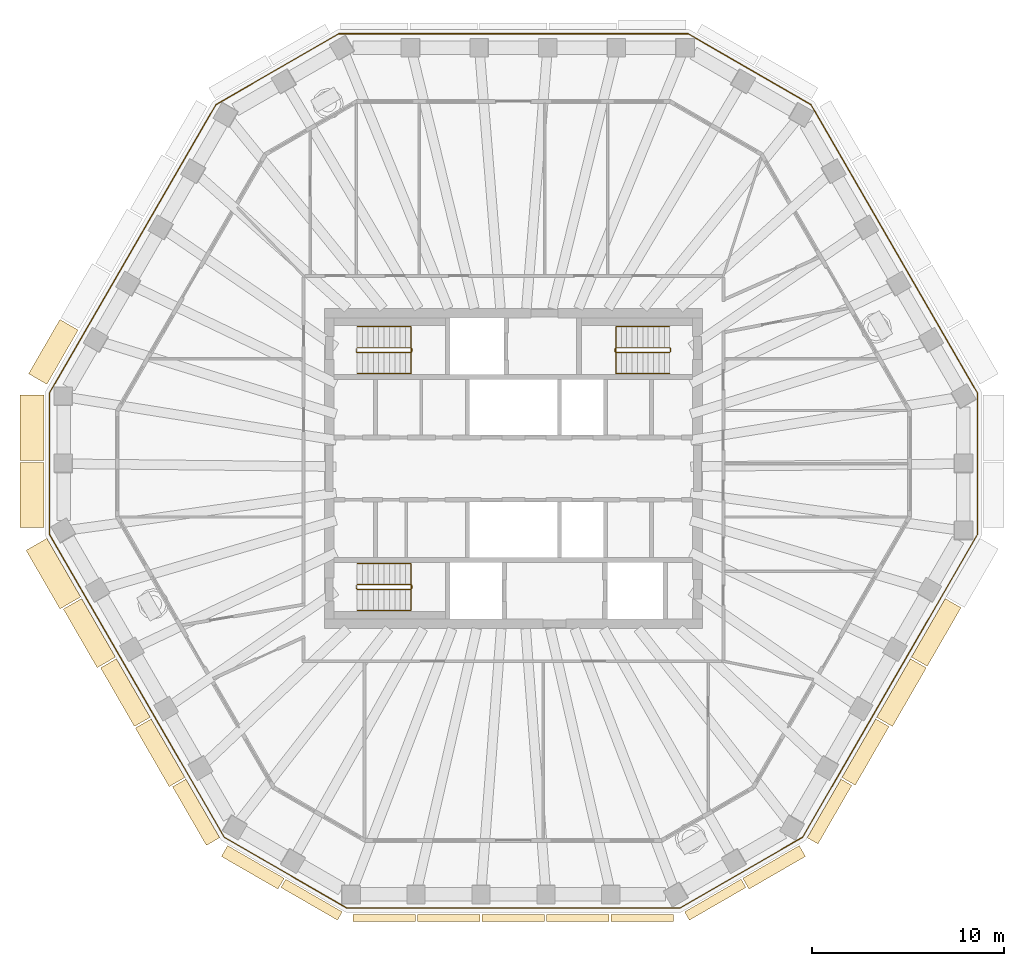
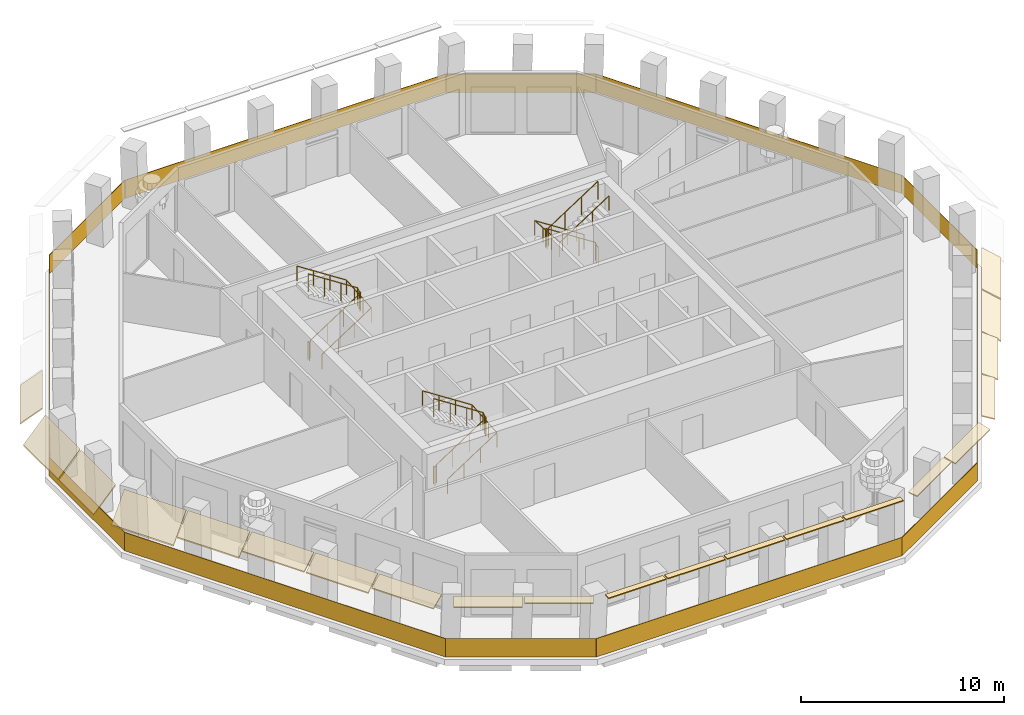
# One storey, part 9 of 12: 21 coverings, 7 railings.
"""IFC4 building model written with IfcOpenShell, lengths in metres."""

from ifc_helpers import new_model, si_unit, direction, frame, origin, origin_2d, place, context, subcontext, project, spatial, polyline, rectangle, circle, outline, extrude, material, layer, layer_set, type_object, element, save


model = new_model("IFC4")

# Units and contexts
model_context = context("Model", 3, precision=1e-05, world=origin(), true_north=direction((0.0, 1.0)))
body_context = subcontext(model_context, "Body", "Model", "MODEL_VIEW")
ifc_project = project(units=[si_unit("LENGTHUNIT", "METRE"), si_unit("AREAUNIT", "SQUARE_METRE"), si_unit("VOLUMEUNIT", "CUBIC_METRE"), si_unit("PLANEANGLEUNIT", "RADIAN"), si_unit("MASSUNIT", "GRAM", prefix="KILO")], contexts=[model_context])

# Site, building, storey
site_placement = place(None, origin())
site = spatial("IfcSite", under=ifc_project, at=site_placement, CompositionType="ELEMENT")
building_placement = place(site_placement, origin())
building = spatial("IfcBuilding", under=site, at=building_placement, Name="Frailejon Research Tower", CompositionType="ELEMENT")
storey_placement = place(building_placement, frame((0.0, 0.0, 271.0)))
storey = spatial("IfcBuildingStorey", under=building, at=storey_placement, Name="L59", CompositionType="ELEMENT", Elevation=271.0)

# Coverings
ifc_material_1 = material(Name="Precast concrete C50/60", Category="concrete")
ifc_layer_1 = layer(ifc_material_1, 0.06005859375)
ifc_layer_set_1 = layer_set([ifc_layer_1], Name="Brim blade depth 1100")
covering_type_1 = type_object("IfcCoveringType", Name="Brim blade depth 1100", PredefinedType="CLADDING", material=ifc_layer_set_1)
covering_1_placement = place(storey_placement, frame((-24.339111328125, 4.3974609375, 3.85009765625), z_axis=(0.499981450159, 0.866036113275, 0.0), x_axis=(-0.866036113275, 0.499981450159, 0.0)))
element("IfcCovering", 1, at=covering_1_placement, inside=storey, type_object=covering_type_1, Name="Brim blade L59", PredefinedType="CLADDING", context=body_context, shape_type="SweptSolid", body=[
    extrude(outline(polyline([(0.0, -0.078369140625), (1.10009765625, -1.001220703125), (1.10009765625, -0.923095703125), (0.0, 0.0), (0.0, -0.078369140625)])), origin(), (0.0, 0.0, 1.0), 3.264404296875),
])
covering_2_placement = place(storey_placement, frame((-20.763427734375, -9.836669921875, 3.85009765625), z_axis=(-0.499992226776, 0.866029891611, 0.0), x_axis=(-0.866029891611, -0.499992226776, 0.0)))
element("IfcCovering", 2, at=covering_2_placement, inside=storey, type_object=covering_type_1, Name="Brim blade L59", PredefinedType="CLADDING", context=body_context, shape_type="SweptSolid", body=[
    extrude(outline(polyline([(0.0, -0.078369140625), (1.10009765625, -1.001220703125), (1.10009765625, -0.923095703125), (0.0, 0.0), (0.0, -0.078369140625)])), origin(), (0.0, 0.0, 1.0), 3.52587890625),
])
ifc_material_2 = material(Name="Precast concrete C50/60", Category="concrete")
ifc_layer_2 = layer(ifc_material_2, 0.06005859375)
ifc_layer_set_2 = layer_set([ifc_layer_2], Name="Brim blade depth 1250")
covering_type_2 = type_object("IfcCoveringType", Name="Brim blade depth 1250", PredefinedType="CLADDING", material=ifc_layer_set_2)
covering_3_placement = place(storey_placement, frame((-24.491455078125, 0.427001953125, 3.85009765625), z_axis=(0.0, 1.0, 0.0), x_axis=(-1.0, 0.0, 0.0)))
element("IfcCovering", 3, at=covering_3_placement, inside=storey, type_object=covering_type_2, Name="Brim blade L59", PredefinedType="CLADDING", context=body_context, shape_type="SweptSolid", body=[
    extrude(outline(polyline([(0.0, -0.0888671875), (1.25, -1.452880859375), (1.25, -1.364013671875), (0.0, 0.0), (0.0, -0.0888671875)])), origin(), (0.0, 0.0, 1.0), 3.402099609375),
])
covering_4_placement = place(storey_placement, frame((-24.491455078125, -3.07470703125, 3.85009765625), z_axis=(0.0, 1.0, 0.0), x_axis=(-1.0, 0.0, 0.0)))
element("IfcCovering", 4, at=covering_4_placement, inside=storey, type_object=covering_type_2, Name="Brim blade L59", PredefinedType="CLADDING", context=body_context, shape_type="SweptSolid", body=[
    extrude(outline(polyline([(0.0, -0.0888671875), (1.25, -1.452880859375), (1.25, -1.364013671875), (0.0, 0.0), (0.0, -0.0888671875)])), origin(), (0.0, 0.0, 1.0), 3.40185546875),
])
covering_5_placement = place(storey_placement, frame((-22.576416015625, -6.696533203125, 3.85009765625), z_axis=(-0.499992226776, 0.866029891611, 0.0), x_axis=(-0.866029891611, -0.499992226776, 0.0)))
element("IfcCovering", 5, at=covering_5_placement, inside=storey, type_object=covering_type_2, Name="Brim blade L59", PredefinedType="CLADDING", context=body_context, shape_type="SweptSolid", body=[
    extrude(outline(polyline([(0.0, -0.0888671875), (1.25, -1.452880859375), (1.25, -1.364013671875), (0.0, 0.0), (0.0, -0.0888671875)])), origin(), (0.0, 0.0, 1.0), 3.52587890625),
])
ifc_material_3 = material(Name="Precast concrete C50/60", Category="concrete")
ifc_layer_3 = layer(ifc_material_3, 0.06005859375)
ifc_layer_set_3 = layer_set([ifc_layer_3], Name="Brim blade depth 350")
covering_type_3 = type_object("IfcCoveringType", Name="Brim blade depth 350", PredefinedType="CLADDING", material=ifc_layer_set_3)
covering_6_placement = place(storey_placement, frame((-5.0966796875, -23.277099609375, 3.85009765625), z_axis=(-1.0, 0.0, 0.0), x_axis=(0.0, -1.0, 0.0)))
element("IfcCovering", 6, at=covering_6_placement, inside=storey, type_object=covering_type_3, Name="Brim blade L59", PredefinedType="CLADDING", context=body_context, shape_type="SweptSolid", body=[
    extrude(outline(polyline([(0.0, -0.06005859375), (0.35009765625, -0.06005859375), (0.35009765625, 0.0), (0.0, 0.0), (0.0, -0.06005859375)])), origin(), (0.0, 0.0, 1.0), 3.2646484375),
])
covering_7_placement = place(storey_placement, frame((-1.732421875, -23.277099609375, 3.85009765625), z_axis=(-1.0, 0.0, 0.0), x_axis=(0.0, -1.0, 0.0)))
element("IfcCovering", 7, at=covering_7_placement, inside=storey, type_object=covering_type_3, Name="Brim blade L59", PredefinedType="CLADDING", context=body_context, shape_type="SweptSolid", body=[
    extrude(outline(polyline([(0.0, -0.06005859375), (0.35009765625, -0.06005859375), (0.35009765625, 0.0), (0.0, 0.0), (0.0, -0.06005859375)])), origin(), (0.0, 0.0, 1.0), 3.264404296875),
])
covering_8_placement = place(storey_placement, frame((1.63232421875, -23.277099609375, 3.85009765625), z_axis=(-1.0, 0.0, 0.0), x_axis=(0.0, -1.0, 0.0)))
element("IfcCovering", 8, at=covering_8_placement, inside=storey, type_object=covering_type_3, Name="Brim blade L59", PredefinedType="CLADDING", context=body_context, shape_type="SweptSolid", body=[
    extrude(outline(polyline([(0.0, -0.06005859375), (0.35009765625, -0.06005859375), (0.35009765625, 0.0), (0.0, 0.0), (0.0, -0.06005859375)])), origin(), (0.0, 0.0, 1.0), 3.2646484375),
])
covering_9_placement = place(storey_placement, frame((4.996826171875, -23.277099609375, 3.85009765625), z_axis=(-1.0, 0.0, 0.0), x_axis=(0.0, -1.0, 0.0)))
element("IfcCovering", 9, at=covering_9_placement, inside=storey, type_object=covering_type_3, Name="Brim blade L59", PredefinedType="CLADDING", context=body_context, shape_type="SweptSolid", body=[
    extrude(outline(polyline([(0.0, -0.06005859375), (0.35009765625, -0.06005859375), (0.35009765625, 0.0), (0.0, 0.0), (0.0, -0.06005859375)])), origin(), (0.0, 0.0, 1.0), 3.264404296875),
])
covering_10_placement = place(storey_placement, frame((8.361328125, -23.277099609375, 3.85009765625), z_axis=(-1.0, 0.0, 0.0), x_axis=(0.0, -1.0, 0.0)))
element("IfcCovering", 10, at=covering_10_placement, inside=storey, type_object=covering_type_3, Name="Brim blade L59", PredefinedType="CLADDING", context=body_context, shape_type="SweptSolid", body=[
    extrude(outline(polyline([(0.0, -0.06005859375), (0.35009765625, -0.06005859375), (0.35009765625, 0.0), (0.0, 0.0), (0.0, -0.06005859375)])), origin(), (0.0, 0.0, 1.0), 3.2646484375),
])
ifc_material_4 = material(Name="Precast concrete C50/60", Category="concrete")
ifc_layer_4 = layer(ifc_material_4, 0.06005859375)
ifc_layer_set_4 = layer_set([ifc_layer_4], Name="Brim blade depth 500")
covering_type_4 = type_object("IfcCoveringType", Name="Brim blade depth 500", PredefinedType="CLADDING", material=ifc_layer_set_4)
for number, where, z_axis, x_axis, name in (
    (11, (-8.9296875, -23.124755859375, 3.85009765625), (-0.866023907216, 0.500002592124, 0.0), (-0.500002592124, -0.866023907216, 0.0), "Brim blade L59"),
    (12, (11.8759765625, -21.423828125, 3.85009765625), (-0.866023907216, -0.500002592124, 0.0), (0.500002592124, -0.866023907216, 0.0), "Brim blade L59"),
):
    element("IfcCovering", number, at=place(storey_placement, frame(where, z_axis=z_axis, x_axis=x_axis)), inside=storey, type_object=covering_type_4, Name=name, PredefinedType="CLADDING", context=body_context, shape_type="SweptSolid", body=[
        extrude(outline(polyline([(0.0, -0.060546875), (0.5, -0.130859375), (0.5, -0.0703125), (0.0, 0.0), (0.0, -0.060546875)])), origin(), (0.0, 0.0, 1.0), 3.402099609375),
    ])
ifc_material_5 = material(Name="Precast concrete C50/60", Category="concrete")
ifc_layer_5 = layer(ifc_material_5, 0.06005859375)
ifc_layer_set_5 = layer_set([ifc_layer_5], Name="Brim blade depth 650")
covering_type_5 = type_object("IfcCoveringType", Name="Brim blade depth 650", PredefinedType="CLADDING", material=ifc_layer_set_5)
for number, where, z_axis, x_axis, name in (
    (13, (-11.96240234375, -21.373779296875, 3.85009765625), (-0.866036272098, 0.499981175056, 0.0), (-0.499981175056, -0.866036272098, 0.0), "Brim blade L59"),
    (14, (14.90869140625, -19.6728515625, 3.85009765625), (-0.866036272098, -0.499981175056, 0.0), (0.499981175056, -0.866036272098, 0.0), "Brim blade L59"),
):
    element("IfcCovering", number, at=place(storey_placement, frame(where, z_axis=z_axis, x_axis=x_axis)), inside=storey, type_object=covering_type_5, Name=name, PredefinedType="CLADDING", context=body_context, shape_type="SweptSolid", body=[
        extrude(outline(polyline([(0.0, -0.0625), (0.64990234375, -0.248779296875), (0.64990234375, -0.186279296875), (0.0, 0.0), (0.0, -0.0625)])), origin(), (0.0, 0.0, 1.0), 3.40185546875),
    ])
covering_11_placement = place(storey_placement, frame((17.087646484375, -16.203369140625, 3.85009765625), z_axis=(-0.499992226776, -0.866029891611, 0.0), x_axis=(0.866029891611, -0.499992226776, 0.0)))
element("IfcCovering", 15, at=covering_11_placement, inside=storey, type_object=covering_type_5, Name="Brim blade L59", PredefinedType="CLADDING", context=body_context, shape_type="SweptSolid", body=[
    extrude(outline(polyline([(0.0, -0.0625), (0.64990234375, -0.248779296875), (0.64990234375, -0.186279296875), (0.0, 0.0), (0.0, -0.0625)])), origin(), (0.0, 0.0, 1.0), 3.52587890625),
])
ifc_material_6 = material(Name="Precast concrete C50/60", Category="concrete")
ifc_layer_6 = layer(ifc_material_6, 0.06005859375)
ifc_layer_set_6 = layer_set([ifc_layer_6], Name="Brim blade depth 800")
covering_type_6 = type_object("IfcCoveringType", Name="Brim blade depth 800", PredefinedType="CLADDING", material=ifc_layer_set_6)
for number, where, z_axis, x_axis, name in (
    (16, (-15.32470703125, -19.2568359375, 3.85009765625), (-0.499992226776, 0.866029891611, 0.0), (-0.866029891611, -0.499992226776, 0.0), "Brim blade L59"),
    (17, (18.900390625, -13.063232421875, 3.85009765625), (-0.499992226776, -0.866029891611, 0.0), (0.866029891611, -0.499992226776, 0.0), "Brim blade L59"),
):
    element("IfcCovering", number, at=place(storey_placement, frame(where, z_axis=z_axis, x_axis=x_axis)), inside=storey, type_object=covering_type_6, Name=name, PredefinedType="CLADDING", context=body_context, shape_type="SweptSolid", body=[
        extrude(outline(polyline([(0.0, -0.065673828125), (0.800048828125, -0.421875), (0.800048828125, -0.356201171875), (0.0, 0.0), (0.0, -0.065673828125)])), origin(), (0.0, 0.0, 1.0), 3.52587890625),
    ])
ifc_material_7 = material(Name="Precast concrete C50/60", Category="concrete")
ifc_layer_7 = layer(ifc_material_7, 0.06005859375)
ifc_layer_set_7 = layer_set([ifc_layer_7], Name="Brim blade depth 950")
covering_type_7 = type_object("IfcCoveringType", Name="Brim blade depth 950", PredefinedType="CLADDING", material=ifc_layer_set_7)
for number, where, z_axis, x_axis, name in (
    (18, (-18.950439453125, -12.976806640625, 3.85009765625), (-0.500004168912, 0.866022996848, 0.0), (-0.866022996848, -0.500004168912, 0.0), "Brim blade L59"),
    (19, (-17.1376953125, -16.11669921875, 3.85009765625), (-0.499992226776, 0.866029891611, 0.0), (-0.866029891611, -0.499992226776, 0.0), "Brim blade L59"),
    (20, (20.71337890625, -9.92333984375, 3.85009765625), (-0.500004168912, -0.866022996848, 0.0), (0.866022996848, -0.500004168912, 0.0), "Brim blade L59"),
    (21, (22.5263671875, -6.783203125, 3.85009765625), (-0.499992226776, -0.866029891611, 0.0), (0.866029891611, -0.499992226776, 0.0), "Brim blade L59"),
):
    element("IfcCovering", number, at=place(storey_placement, frame(where, z_axis=z_axis, x_axis=x_axis)), inside=storey, type_object=covering_type_7, Name=name, PredefinedType="CLADDING", context=body_context, shape_type="SweptSolid", body=[
        extrude(outline(polyline([(0.0, -0.07080078125), (0.949951171875, -0.664306640625), (0.949951171875, -0.593505859375), (0.0, 0.0), (0.0, -0.07080078125)])), origin(), (0.0, 0.0, 1.0), 3.52587890625),
    ])

# Railings
ifc_material_8 = material(Name="Laminated glass balustrade", Category="glass")
railing_type_1 = type_object("IfcRailingType", Name="Glass guard 1100", PredefinedType="GUARDRAIL", material=ifc_material_8)
railing_1_placement = place(storey_placement, frame((24.20068359375, -3.446533203125, 0.0)))
element("IfcRailing", 22, at=railing_1_placement, inside=storey, type_object=railing_type_1, Name="Loggia guard L59", PredefinedType="GUARDRAIL", context=body_context, shape_type="SweptSolid", body=[
    extrude(rectangle(XDim=7.39599609375, YDim=0.030029296875, at=origin_2d()), frame((0.0, 3.697998046875, 0.0), z_axis=(0.0, 0.0, 1.0), x_axis=(0.0, 1.0, 0.0)), (0.0, 0.0, 1.0), 1.10009765625),
    extrude(rectangle(XDim=17.360107421875, YDim=0.030029296875, at=origin_2d()), frame((-4.33984375, 14.9130859375, 0.0), z_axis=(0.0, 0.0, 1.0), x_axis=(-0.499991488951, 0.866030317585, 0.0)), (0.0, 0.0, 1.0), 1.10009765625),
    extrude(rectangle(XDim=7.396240234375, YDim=0.030029296875, at=origin_2d()), frame((-11.882568359375, 24.279296875, 0.0), z_axis=(0.0, 0.0, 1.0), x_axis=(-0.866030573133, 0.49999104632, 0.0)), (0.0, 0.0, 1.0), 1.10009765625),
    extrude(rectangle(XDim=18.23095703125, YDim=0.030029296875, at=origin_2d()), frame((-24.20068359375, 26.12841796875, 0.0), z_axis=(0.0, 0.0, 1.0), x_axis=(-1.0, 0.0, 0.0)), (0.0, 0.0, 1.0), 1.10009765625),
    extrude(rectangle(XDim=7.396240234375, YDim=0.030029296875, at=origin_2d()), frame((-36.518798828125, 24.279296875, 0.0), z_axis=(0.0, 0.0, 1.0), x_axis=(-0.866030573133, -0.49999104632, 0.0)), (0.0, 0.0, 1.0), 1.10009765625),
    extrude(rectangle(XDim=17.360107421875, YDim=0.030029296875, at=origin_2d()), frame((-44.0615234375, 14.9130859375, 0.0), z_axis=(0.0, 0.0, 1.0), x_axis=(-0.499991488951, -0.866030317585, 0.0)), (0.0, 0.0, 1.0), 1.10009765625),
    extrude(rectangle(XDim=7.39599609375, YDim=0.030029296875, at=origin_2d()), frame((-48.4013671875, 3.697998046875, 0.0), z_axis=(0.0, 0.0, 1.0), x_axis=(0.0, -1.0, 0.0)), (0.0, 0.0, 1.0), 1.10009765625),
    extrude(rectangle(XDim=18.23095703125, YDim=0.030029296875, at=origin_2d()), frame((-43.84375, -7.894287109375, 0.0), z_axis=(0.0, 0.0, 1.0), x_axis=(0.499997570364, -0.866026806531, 0.0)), (0.0, 0.0, 1.0), 1.10009765625),
    extrude(rectangle(XDim=7.39599609375, YDim=0.030029296875, at=origin_2d()), frame((-36.08349609375, -17.6376953125, 0.0), z_axis=(0.0, 0.0, 1.0), x_axis=(0.866008026712, -0.500030096765, 0.0)), (0.0, 0.0, 1.0), 1.10009765625),
    extrude(rectangle(XDim=17.3603515625, YDim=0.030029296875, at=origin_2d()), frame((-24.20068359375, -19.48681640625, 0.0), z_axis=(0.0, 0.0, 1.0), x_axis=(1.0, 0.0, 0.0)), (0.0, 0.0, 1.0), 1.10009765625),
    extrude(rectangle(XDim=7.39599609375, YDim=0.030029296875, at=origin_2d()), frame((-12.31787109375, -17.6376953125, 0.0), z_axis=(0.0, 0.0, 1.0), x_axis=(0.866008026712, 0.500030096765, 0.0)), (0.0, 0.0, 1.0), 1.10009765625),
    extrude(rectangle(XDim=18.160888671875, YDim=0.030029296875, at=origin_2d()), frame((-4.5751953125, -7.9248046875, 0.0), z_axis=(0.0, 0.0, 1.0), x_axis=(0.500005225773, 0.866022386662, 0.0)), (0.0, 0.0, 1.0), 1.10009765625),
])
ifc_material_9 = material(Name="Stainless steel", Category="steel")
railing_type_2 = type_object("IfcRailingType", Name="Stair guard 1100", PredefinedType="GUARDRAIL", material=ifc_material_9)
railing_2_placement = place(storey_placement, frame((-8.199951171875, 6.25, 0.0)))
element("IfcRailing", 23, at=railing_2_placement, inside=storey, type_object=railing_type_2, Name="L59 ST1 stair guard 1", PredefinedType="GUARDRAIL", context=body_context, shape_type="SweptSolid", body=[
    extrude(circle(Radius=0.02392578125, at=origin_2d()), frame((0.0, 0.0, 1.076171875), z_axis=(0.0, -1.0, 0.0), x_axis=(1.0, 0.0, 0.0)), (0.0, 0.0, 1.0), 0.14990234375),
    extrude(circle(Radius=0.02392578125, at=origin_2d()), frame((0.0, -0.14990234375, 1.076171875), z_axis=(0.256435381639, -0.256435381639, 0.931923704005), x_axis=(0.707106781187, 0.707106781187, 0.0)), (0.0, 0.0, 1.0), 0.195068359375),
    extrude(circle(Radius=0.02392578125, at=origin_2d()), frame((0.050048828125, -0.199951171875, 1.2578125), z_axis=(0.83868413941, 0.0, 0.544618136222), x_axis=(0.0, 1.0, 0.0)), (0.0, 0.0, 1.0), 3.33837890625),
    extrude(circle(Radius=0.02392578125, at=origin_2d()), frame((2.849853515625, -0.199951171875, 3.076171875), z_axis=(0.707106781187, 0.707106781187, 0.0), x_axis=(-0.707106781187, 0.707106781187, 0.0)), (0.0, 0.0, 1.0), 0.07080078125),
    extrude(circle(Radius=0.02392578125, at=origin_2d()), frame((2.89990234375, -0.14990234375, 3.076171875), z_axis=(0.0, 1.0, 0.0), x_axis=(-1.0, 0.0, 0.0)), (0.0, 0.0, 1.0), 0.14990234375),
    extrude(circle(Radius=0.02392578125, at=origin_2d()), frame((2.89990234375, 0.0, 3.076171875), z_axis=(-0.256435381639, 0.256435381639, 0.931923704005), x_axis=(-0.707106781187, -0.707106781187, 0.0)), (0.0, 0.0, 1.0), 0.195068359375),
    extrude(circle(Radius=0.02392578125, at=origin_2d()), frame((2.849853515625, 0.050048828125, 3.2578125), z_axis=(-0.83868413941, 0.0, 0.544618136222), x_axis=(0.0, -1.0, 0.0)), (0.0, 0.0, 1.0), 3.33837890625),
    extrude(circle(Radius=0.02099609375, at=origin_2d()), origin(), (0.0, 0.0, 1.0), 1.052001953125),
    extrude(circle(Radius=0.02099609375, at=origin_2d()), frame((0.0, -0.14990234375, 0.0)), (0.0, 0.0, 1.0), 1.052001953125),
    extrude(circle(Radius=0.02099609375, at=origin_2d()), frame((0.050048828125, -0.199951171875, 0.181884765625)), (0.0, 0.0, 1.0), 1.052001953125),
    extrude(circle(Radius=0.02099609375, at=origin_2d()), frame((0.9833984375, -0.199951171875, 0.787841796875)), (0.0, 0.0, 1.0), 1.052001953125),
    extrude(circle(Radius=0.02099609375, at=origin_2d()), frame((1.91650390625, -0.199951171875, 1.39404296875)), (0.0, 0.0, 1.0), 1.052001953125),
    extrude(circle(Radius=0.02099609375, at=origin_2d()), frame((2.849853515625, -0.199951171875, 2.0)), (0.0, 0.0, 1.0), 1.052001953125),
    extrude(circle(Radius=0.02099609375, at=origin_2d()), frame((2.89990234375, -0.14990234375, 2.0)), (0.0, 0.0, 1.0), 1.052001953125),
    extrude(circle(Radius=0.02099609375, at=origin_2d()), frame((2.89990234375, 0.0, 2.0)), (0.0, 0.0, 1.0), 1.052001953125),
    extrude(circle(Radius=0.02099609375, at=origin_2d()), frame((2.849853515625, 0.050048828125, 2.181884765625)), (0.0, 0.0, 1.0), 1.052001953125),
    extrude(circle(Radius=0.02099609375, at=origin_2d()), frame((1.91650390625, 0.050048828125, 2.787841796875)), (0.0, 0.0, 1.0), 1.052001953125),
    extrude(circle(Radius=0.02099609375, at=origin_2d()), frame((0.9833984375, 0.050048828125, 3.39404296875)), (0.0, 0.0, 1.0), 1.052001953125),
    extrude(circle(Radius=0.02099609375, at=origin_2d()), frame((0.050048828125, 0.050048828125, 4.0)), (0.0, 0.0, 1.0), 1.052001953125),
])
railing_3_placement = place(storey_placement, frame((-8.199951171875, -6.10009765625, 0.0)))
element("IfcRailing", 24, at=railing_3_placement, inside=storey, type_object=railing_type_2, Name="L59 ST2 stair guard 1", PredefinedType="GUARDRAIL", context=body_context, shape_type="SweptSolid", body=[
    extrude(circle(Radius=0.02392578125, at=origin_2d()), frame((0.0, 0.0, 1.076171875), z_axis=(0.0, -1.0, 0.0), x_axis=(1.0, 0.0, 0.0)), (0.0, 0.0, 1.0), 0.14990234375),
    extrude(circle(Radius=0.02392578125, at=origin_2d()), frame((0.0, -0.14990234375, 1.076171875), z_axis=(0.256435381639, -0.256435381639, 0.931923704005), x_axis=(0.707106781187, 0.707106781187, 0.0)), (0.0, 0.0, 1.0), 0.195068359375),
    extrude(circle(Radius=0.02392578125, at=origin_2d()), frame((0.050048828125, -0.199951171875, 1.2578125), z_axis=(0.83868413941, 0.0, 0.544618136222), x_axis=(0.0, 1.0, 0.0)), (0.0, 0.0, 1.0), 3.33837890625),
    extrude(circle(Radius=0.02392578125, at=origin_2d()), frame((2.849853515625, -0.199951171875, 3.076171875), z_axis=(0.707106781187, 0.707106781187, 0.0), x_axis=(-0.707106781187, 0.707106781187, 0.0)), (0.0, 0.0, 1.0), 0.07080078125),
    extrude(circle(Radius=0.02392578125, at=origin_2d()), frame((2.89990234375, -0.14990234375, 3.076171875), z_axis=(0.0, 1.0, 0.0), x_axis=(-1.0, 0.0, 0.0)), (0.0, 0.0, 1.0), 0.14990234375),
    extrude(circle(Radius=0.02392578125, at=origin_2d()), frame((2.89990234375, 0.0, 3.076171875), z_axis=(-0.256435381639, 0.256435381639, 0.931923704005), x_axis=(-0.707106781187, -0.707106781187, 0.0)), (0.0, 0.0, 1.0), 0.195068359375),
    extrude(circle(Radius=0.02392578125, at=origin_2d()), frame((2.849853515625, 0.050048828125, 3.2578125), z_axis=(-0.83868413941, 0.0, 0.544618136222), x_axis=(0.0, -1.0, 0.0)), (0.0, 0.0, 1.0), 3.33837890625),
    extrude(circle(Radius=0.02099609375, at=origin_2d()), origin(), (0.0, 0.0, 1.0), 1.052001953125),
    extrude(circle(Radius=0.02099609375, at=origin_2d()), frame((0.0, -0.14990234375, 0.0)), (0.0, 0.0, 1.0), 1.052001953125),
    extrude(circle(Radius=0.02099609375, at=origin_2d()), frame((0.050048828125, -0.199951171875, 0.181884765625)), (0.0, 0.0, 1.0), 1.052001953125),
    extrude(circle(Radius=0.02099609375, at=origin_2d()), frame((0.9833984375, -0.199951171875, 0.787841796875)), (0.0, 0.0, 1.0), 1.052001953125),
    extrude(circle(Radius=0.02099609375, at=origin_2d()), frame((1.91650390625, -0.199951171875, 1.39404296875)), (0.0, 0.0, 1.0), 1.052001953125),
    extrude(circle(Radius=0.02099609375, at=origin_2d()), frame((2.849853515625, -0.199951171875, 2.0)), (0.0, 0.0, 1.0), 1.052001953125),
    extrude(circle(Radius=0.02099609375, at=origin_2d()), frame((2.89990234375, -0.14990234375, 2.0)), (0.0, 0.0, 1.0), 1.052001953125),
    extrude(circle(Radius=0.02099609375, at=origin_2d()), frame((2.89990234375, 0.0, 2.0)), (0.0, 0.0, 1.0), 1.052001953125),
    extrude(circle(Radius=0.02099609375, at=origin_2d()), frame((2.849853515625, 0.050048828125, 2.181884765625)), (0.0, 0.0, 1.0), 1.052001953125),
    extrude(circle(Radius=0.02099609375, at=origin_2d()), frame((1.91650390625, 0.050048828125, 2.787841796875)), (0.0, 0.0, 1.0), 1.052001953125),
    extrude(circle(Radius=0.02099609375, at=origin_2d()), frame((0.9833984375, 0.050048828125, 3.39404296875)), (0.0, 0.0, 1.0), 1.052001953125),
    extrude(circle(Radius=0.02099609375, at=origin_2d()), frame((0.050048828125, 0.050048828125, 4.0)), (0.0, 0.0, 1.0), 1.052001953125),
])
railing_4_placement = place(storey_placement, frame((8.199951171875, 6.10009765625, 0.0)))
element("IfcRailing", 25, at=railing_4_placement, inside=storey, type_object=railing_type_2, Name="L59 ST3 stair guard 1", PredefinedType="GUARDRAIL", context=body_context, shape_type="SweptSolid", body=[
    extrude(circle(Radius=0.02392578125, at=origin_2d()), frame((0.0, 0.0, 1.076171875), z_axis=(0.0, 1.0, 0.0), x_axis=(-1.0, 0.0, 0.0)), (0.0, 0.0, 1.0), 0.14990234375),
    extrude(circle(Radius=0.02392578125, at=origin_2d()), frame((0.0, 0.14990234375, 1.076171875), z_axis=(-0.256435381639, 0.256435381639, 0.931923704005), x_axis=(-0.707106781187, -0.707106781187, 0.0)), (0.0, 0.0, 1.0), 0.195068359375),
    extrude(circle(Radius=0.02392578125, at=origin_2d()), frame((-0.050048828125, 0.199951171875, 1.2578125), z_axis=(-0.83868413941, 0.0, 0.544618136222), x_axis=(0.0, -1.0, 0.0)), (0.0, 0.0, 1.0), 3.33837890625),
    extrude(circle(Radius=0.02392578125, at=origin_2d()), frame((-2.849853515625, 0.199951171875, 3.076171875), z_axis=(-0.707106781187, -0.707106781187, 0.0), x_axis=(0.707106781187, -0.707106781187, 0.0)), (0.0, 0.0, 1.0), 0.07080078125),
    extrude(circle(Radius=0.02392578125, at=origin_2d()), frame((-2.89990234375, 0.14990234375, 3.076171875), z_axis=(0.0, -1.0, 0.0), x_axis=(1.0, 0.0, 0.0)), (0.0, 0.0, 1.0), 0.14990234375),
    extrude(circle(Radius=0.02392578125, at=origin_2d()), frame((-2.89990234375, 0.0, 3.076171875), z_axis=(0.256435381639, -0.256435381639, 0.931923704005), x_axis=(0.707106781187, 0.707106781187, 0.0)), (0.0, 0.0, 1.0), 0.195068359375),
    extrude(circle(Radius=0.02392578125, at=origin_2d()), frame((-2.849853515625, -0.050048828125, 3.2578125), z_axis=(0.83868413941, 0.0, 0.544618136222), x_axis=(0.0, 1.0, 0.0)), (0.0, 0.0, 1.0), 3.33837890625),
    extrude(circle(Radius=0.02099609375, at=origin_2d()), origin(), (0.0, 0.0, 1.0), 1.052001953125),
    extrude(circle(Radius=0.02099609375, at=origin_2d()), frame((0.0, 0.14990234375, 0.0)), (0.0, 0.0, 1.0), 1.052001953125),
    extrude(circle(Radius=0.02099609375, at=origin_2d()), frame((-0.050048828125, 0.199951171875, 0.181884765625)), (0.0, 0.0, 1.0), 1.052001953125),
    extrude(circle(Radius=0.02099609375, at=origin_2d()), frame((-0.9833984375, 0.199951171875, 0.787841796875)), (0.0, 0.0, 1.0), 1.052001953125),
    extrude(circle(Radius=0.02099609375, at=origin_2d()), frame((-1.91650390625, 0.199951171875, 1.39404296875)), (0.0, 0.0, 1.0), 1.052001953125),
    extrude(circle(Radius=0.02099609375, at=origin_2d()), frame((-2.849853515625, 0.199951171875, 2.0)), (0.0, 0.0, 1.0), 1.052001953125),
    extrude(circle(Radius=0.02099609375, at=origin_2d()), frame((-2.89990234375, 0.14990234375, 2.0)), (0.0, 0.0, 1.0), 1.052001953125),
    extrude(circle(Radius=0.02099609375, at=origin_2d()), frame((-2.89990234375, 0.0, 2.0)), (0.0, 0.0, 1.0), 1.052001953125),
    extrude(circle(Radius=0.02099609375, at=origin_2d()), frame((-2.849853515625, -0.050048828125, 2.181884765625)), (0.0, 0.0, 1.0), 1.052001953125),
    extrude(circle(Radius=0.02099609375, at=origin_2d()), frame((-1.91650390625, -0.050048828125, 2.787841796875)), (0.0, 0.0, 1.0), 1.052001953125),
    extrude(circle(Radius=0.02099609375, at=origin_2d()), frame((-0.9833984375, -0.050048828125, 3.39404296875)), (0.0, 0.0, 1.0), 1.052001953125),
    extrude(circle(Radius=0.02099609375, at=origin_2d()), frame((-0.050048828125, -0.050048828125, 4.0)), (0.0, 0.0, 1.0), 1.052001953125),
])
ifc_material_10 = material(Name="Stainless steel", Category="steel")
railing_type_3 = type_object("IfcRailingType", Name="Stair handrail 900", PredefinedType="HANDRAIL", material=ifc_material_10)
railing_5_placement = place(storey_placement, frame((-8.14990234375, 4.949951171875, 0.181884765625)))
element("IfcRailing", 26, at=railing_5_placement, inside=storey, type_object=railing_type_3, Name="L59 ST1 stair handrail 1", PredefinedType="HANDRAIL", context=body_context, shape_type="SweptSolid", body=[
    extrude(circle(Radius=0.02392578125, at=origin_2d()), frame((0.0, 0.0, 0.8759765625), z_axis=(0.83868413941, 0.0, 0.544618136222), x_axis=(0.0, 1.0, 0.0)), (0.0, 0.0, 1.0), 3.33837890625),
    extrude(circle(Radius=0.02392578125, at=origin_2d()), frame((2.7998046875, 0.0, 2.69384765625), z_axis=(0.0, 0.997255538948, 0.074036410216), x_axis=(-1.0, 0.0, 0.0)), (0.0, 0.0, 1.0), 2.456787109375),
    extrude(circle(Radius=0.02392578125, at=origin_2d()), frame((2.7998046875, 2.449951171875, 2.8759765625), z_axis=(-0.83868413941, 0.0, 0.544618136222), x_axis=(0.0, -1.0, 0.0)), (0.0, 0.0, 1.0), 3.33837890625),
    extrude(circle(Radius=0.02099609375, at=origin_2d()), origin(), (0.0, 0.0, 1.0), 0.851806640625),
    extrude(circle(Radius=0.02099609375, at=origin_2d()), frame((0.933349609375, 0.0, 0.60595703125)), (0.0, 0.0, 1.0), 0.851806640625),
    extrude(circle(Radius=0.02099609375, at=origin_2d()), frame((1.866455078125, 0.0, 1.212158203125)), (0.0, 0.0, 1.0), 0.851806640625),
    extrude(circle(Radius=0.02099609375, at=origin_2d()), frame((2.7998046875, 0.0, 1.818115234375)), (0.0, 0.0, 1.0), 0.851806640625),
    extrude(circle(Radius=0.02099609375, at=origin_2d()), frame((2.7998046875, 0.816650390625, 1.878662109375)), (0.0, 0.0, 1.0), 0.851806640625),
    extrude(circle(Radius=0.02099609375, at=origin_2d()), frame((2.7998046875, 1.63330078125, 1.939453125)), (0.0, 0.0, 1.0), 0.851806640625),
    extrude(circle(Radius=0.02099609375, at=origin_2d()), frame((2.7998046875, 2.449951171875, 2.0)), (0.0, 0.0, 1.0), 0.851806640625),
    extrude(circle(Radius=0.02099609375, at=origin_2d()), frame((1.866455078125, 2.449951171875, 2.60595703125)), (0.0, 0.0, 1.0), 0.851806640625),
    extrude(circle(Radius=0.02099609375, at=origin_2d()), frame((0.933349609375, 2.449951171875, 3.212158203125)), (0.0, 0.0, 1.0), 0.851806640625),
    extrude(circle(Radius=0.02099609375, at=origin_2d()), frame((0.0, 2.449951171875, 3.818115234375)), (0.0, 0.0, 1.0), 0.851806640625),
])
railing_6_placement = place(storey_placement, frame((-8.14990234375, -7.39990234375, 0.181884765625)))
element("IfcRailing", 27, at=railing_6_placement, inside=storey, type_object=railing_type_3, Name="L59 ST2 stair handrail 1", PredefinedType="HANDRAIL", context=body_context, shape_type="SweptSolid", body=[
    extrude(circle(Radius=0.02392578125, at=origin_2d()), frame((0.0, 0.0, 0.8759765625), z_axis=(0.83868413941, 0.0, 0.544618136222), x_axis=(0.0, 1.0, 0.0)), (0.0, 0.0, 1.0), 3.33837890625),
    extrude(circle(Radius=0.02392578125, at=origin_2d()), frame((2.7998046875, 0.0, 2.69384765625), z_axis=(0.0, 0.997255538948, 0.074036410216), x_axis=(-1.0, 0.0, 0.0)), (0.0, 0.0, 1.0), 2.456787109375),
    extrude(circle(Radius=0.02392578125, at=origin_2d()), frame((2.7998046875, 2.449951171875, 2.8759765625), z_axis=(-0.83868413941, 0.0, 0.544618136222), x_axis=(0.0, -1.0, 0.0)), (0.0, 0.0, 1.0), 3.33837890625),
    extrude(circle(Radius=0.02099609375, at=origin_2d()), origin(), (0.0, 0.0, 1.0), 0.851806640625),
    extrude(circle(Radius=0.02099609375, at=origin_2d()), frame((0.933349609375, 0.0, 0.60595703125)), (0.0, 0.0, 1.0), 0.851806640625),
    extrude(circle(Radius=0.02099609375, at=origin_2d()), frame((1.866455078125, 0.0, 1.212158203125)), (0.0, 0.0, 1.0), 0.851806640625),
    extrude(circle(Radius=0.02099609375, at=origin_2d()), frame((2.7998046875, 0.0, 1.818115234375)), (0.0, 0.0, 1.0), 0.851806640625),
    extrude(circle(Radius=0.02099609375, at=origin_2d()), frame((2.7998046875, 0.816650390625, 1.878662109375)), (0.0, 0.0, 1.0), 0.851806640625),
    extrude(circle(Radius=0.02099609375, at=origin_2d()), frame((2.7998046875, 1.63330078125, 1.939453125)), (0.0, 0.0, 1.0), 0.851806640625),
    extrude(circle(Radius=0.02099609375, at=origin_2d()), frame((2.7998046875, 2.449951171875, 2.0)), (0.0, 0.0, 1.0), 0.851806640625),
    extrude(circle(Radius=0.02099609375, at=origin_2d()), frame((1.866455078125, 2.449951171875, 2.60595703125)), (0.0, 0.0, 1.0), 0.851806640625),
    extrude(circle(Radius=0.02099609375, at=origin_2d()), frame((0.933349609375, 2.449951171875, 3.212158203125)), (0.0, 0.0, 1.0), 0.851806640625),
    extrude(circle(Radius=0.02099609375, at=origin_2d()), frame((0.0, 2.449951171875, 3.818115234375)), (0.0, 0.0, 1.0), 0.851806640625),
])
railing_7_placement = place(storey_placement, frame((8.14990234375, 7.39990234375, 0.181884765625)))
element("IfcRailing", 28, at=railing_7_placement, inside=storey, type_object=railing_type_3, Name="L59 ST3 stair handrail 1", PredefinedType="HANDRAIL", context=body_context, shape_type="SweptSolid", body=[
    extrude(circle(Radius=0.02392578125, at=origin_2d()), frame((0.0, 0.0, 0.8759765625), z_axis=(-0.83868413941, 0.0, 0.544618136222), x_axis=(0.0, -1.0, 0.0)), (0.0, 0.0, 1.0), 3.33837890625),
    extrude(circle(Radius=0.02392578125, at=origin_2d()), frame((-2.7998046875, 0.0, 2.69384765625), z_axis=(0.0, -0.997255538948, 0.074036410216), x_axis=(1.0, 0.0, 0.0)), (0.0, 0.0, 1.0), 2.456787109375),
    extrude(circle(Radius=0.02392578125, at=origin_2d()), frame((-2.7998046875, -2.449951171875, 2.8759765625), z_axis=(0.83868413941, 0.0, 0.544618136222), x_axis=(0.0, 1.0, 0.0)), (0.0, 0.0, 1.0), 3.33837890625),
    extrude(circle(Radius=0.02099609375, at=origin_2d()), origin(), (0.0, 0.0, 1.0), 0.851806640625),
    extrude(circle(Radius=0.02099609375, at=origin_2d()), frame((-0.933349609375, 0.0, 0.60595703125)), (0.0, 0.0, 1.0), 0.851806640625),
    extrude(circle(Radius=0.02099609375, at=origin_2d()), frame((-1.866455078125, 0.0, 1.212158203125)), (0.0, 0.0, 1.0), 0.851806640625),
    extrude(circle(Radius=0.02099609375, at=origin_2d()), frame((-2.7998046875, 0.0, 1.818115234375)), (0.0, 0.0, 1.0), 0.851806640625),
    extrude(circle(Radius=0.02099609375, at=origin_2d()), frame((-2.7998046875, -0.816650390625, 1.878662109375)), (0.0, 0.0, 1.0), 0.851806640625),
    extrude(circle(Radius=0.02099609375, at=origin_2d()), frame((-2.7998046875, -1.63330078125, 1.939453125)), (0.0, 0.0, 1.0), 0.851806640625),
    extrude(circle(Radius=0.02099609375, at=origin_2d()), frame((-2.7998046875, -2.449951171875, 2.0)), (0.0, 0.0, 1.0), 0.851806640625),
    extrude(circle(Radius=0.02099609375, at=origin_2d()), frame((-1.866455078125, -2.449951171875, 2.60595703125)), (0.0, 0.0, 1.0), 0.851806640625),
    extrude(circle(Radius=0.02099609375, at=origin_2d()), frame((-0.933349609375, -2.449951171875, 3.212158203125)), (0.0, 0.0, 1.0), 0.851806640625),
    extrude(circle(Radius=0.02099609375, at=origin_2d()), frame((0.0, -2.449951171875, 3.818115234375)), (0.0, 0.0, 1.0), 0.851806640625),
])

save(model, "model.ifc")
